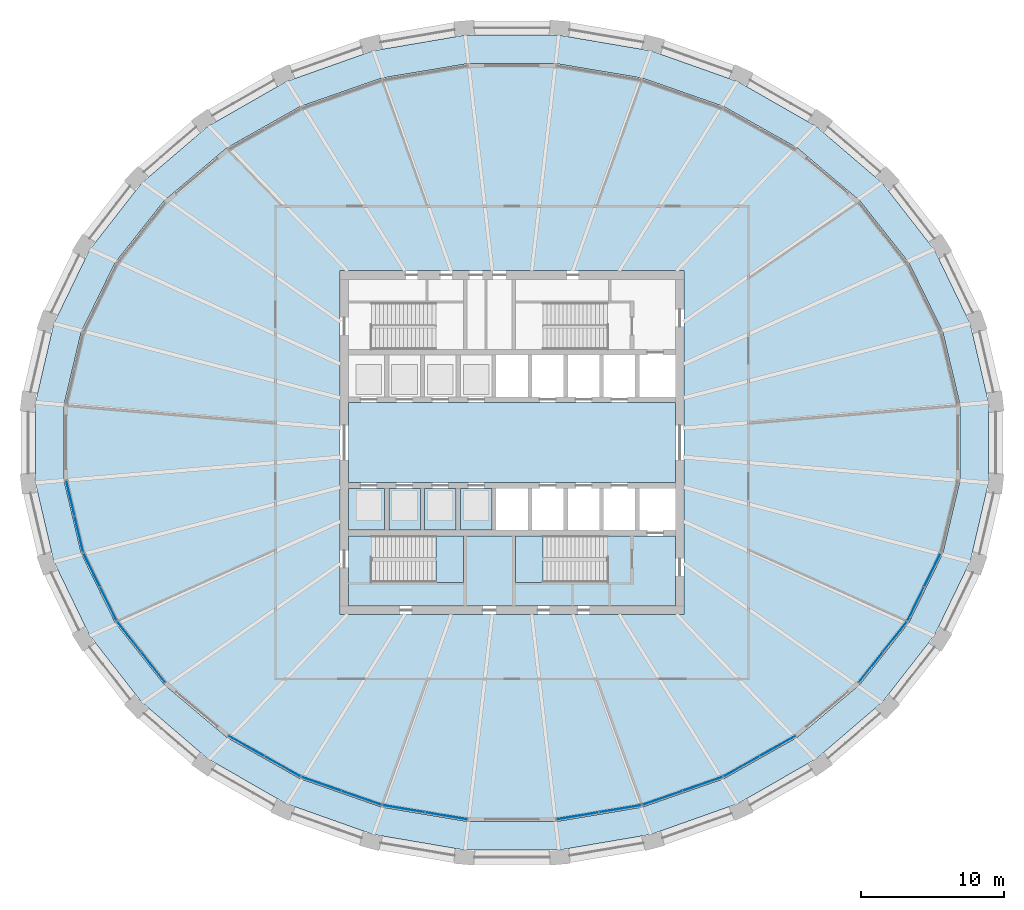
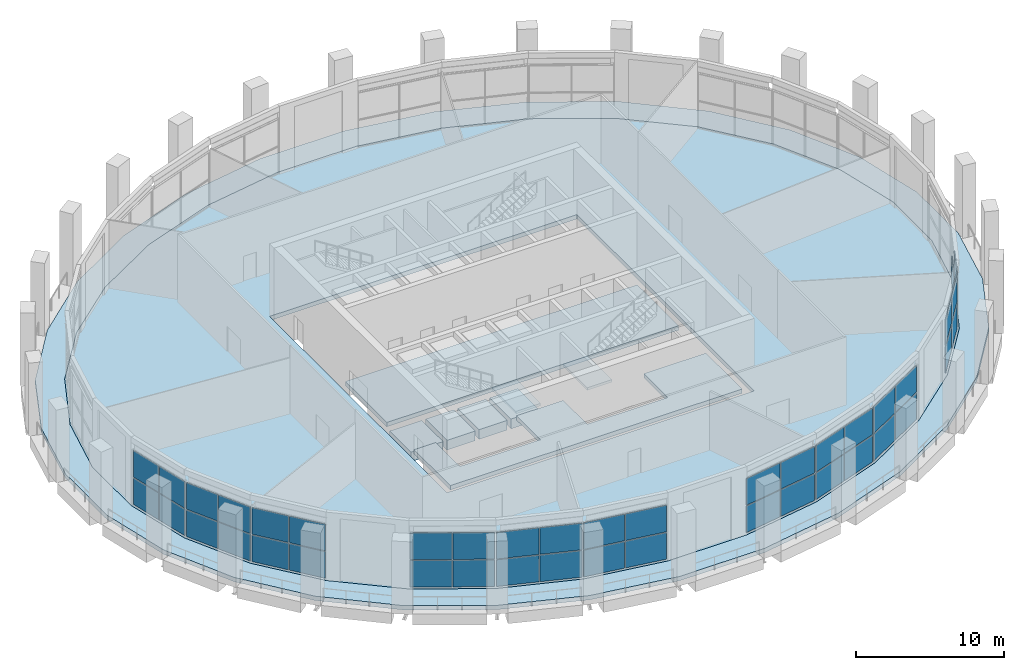
# One storey, part 10 of 19: 43 plates, 10 slabs, 13 elements without a shape of their own.
"""IFC4 building model written with IfcOpenShell, lengths in metres."""

from ifc_helpers import new_model, si_unit, direction, frame, origin, origin_2d, place, context, subcontext, project, spatial, polyline, rectangle, outline, extrude, material, layer, layer_set, type_object, element, aggregate, save


model = new_model("IFC4")

# Units and contexts
model_context = context("Model", 3, precision=1e-05, world=origin(), true_north=direction((0.0, 1.0)))
body_context = subcontext(model_context, "Body", "Model", "MODEL_VIEW")
ifc_project = project(units=[si_unit("LENGTHUNIT", "METRE"), si_unit("AREAUNIT", "SQUARE_METRE"), si_unit("VOLUMEUNIT", "CUBIC_METRE"), si_unit("PLANEANGLEUNIT", "RADIAN"), si_unit("MASSUNIT", "GRAM", prefix="KILO")], contexts=[model_context])

# Site, building, storey
site_placement = place(None, origin())
site = spatial("IfcSite", under=ifc_project, at=site_placement, CompositionType="ELEMENT")
building_placement = place(site_placement, origin())
building = spatial("IfcBuilding", under=site, at=building_placement, Name="Halqa Exchange Tower", CompositionType="ELEMENT")
storey_placement = place(building_placement, frame((0.0, 0.0, 167.5)))
storey = spatial("IfcBuildingStorey", under=building, at=storey_placement, Name="L38", CompositionType="ELEMENT", Elevation=167.5)

# Curtain wall, plates
ifc_material_1 = material(Name="Anodised aluminium and clear glass", Category="aluminium")
curtain_wall_type = type_object("IfcCurtainWallType", Name="Sky lobby glazing", PredefinedType="NOTDEFINED", material=ifc_material_1)
curtain_wall_1_placement = place(storey_placement, origin())
curtain_wall_1 = element("IfcCurtainWall", 1, at=curtain_wall_1_placement, inside=storey, type_object=curtain_wall_type, Name="Sky lobby glazing run G17", PredefinedType="NOTDEFINED")
ifc_material_2 = material(Name="Clear glass", Category="glass")
ifc_layer_1 = layer(ifc_material_2, 0.031982421875)
ifc_layer_set_1 = layer_set([ifc_layer_1], Name="Clear glass")
plate_type = type_object("IfcPlateType", Name="Clear low-emissivity glass panel 32", PredefinedType="CURTAIN_PANEL", material=ifc_layer_set_1)
plate_1_placement = place(storey_placement, frame((-30.817626953125, -3.881103515625, 0.06982421875), z_axis=(0.0, 0.0, 1.0), x_axis=(0.229317766019, -0.973351612825, 0.0)))
plate_1 = element("IfcPlate", 2, at=plate_1_placement, type_object=plate_type, Name="G17 panel 1.1", PredefinedType="CURTAIN_PANEL", context=body_context, shape_type="SweptSolid", body=[
    extrude(rectangle(XDim=2.50732421875, YDim=0.031982421875, at=origin_2d()), origin(), (0.0, 0.0, 1.0), 2.195068359375),
])
plate_2_placement = place(storey_placement, frame((-30.817626953125, -3.881103515625, 2.3349609375), z_axis=(0.0, 0.0, 1.0), x_axis=(0.229317766019, -0.973351612825, 0.0)))
plate_2 = element("IfcPlate", 3, at=plate_2_placement, type_object=plate_type, Name="G17 panel 1.2", PredefinedType="CURTAIN_PANEL", context=body_context, shape_type="SweptSolid", body=[
    extrude(rectangle(XDim=2.50732421875, YDim=0.031982421875, at=origin_2d()), origin(), (0.0, 0.0, 1.0), 2.195068359375),
])
plate_3_placement = place(storey_placement, frame((-30.2265625, -6.389892578125, 0.06982421875), z_axis=(0.0, 0.0, 1.0), x_axis=(0.229317766019, -0.973351612825, 0.0)))
plate_3 = element("IfcPlate", 4, at=plate_3_placement, type_object=plate_type, Name="G17 panel 2.1", PredefinedType="CURTAIN_PANEL", context=body_context, shape_type="SweptSolid", body=[
    extrude(rectangle(XDim=2.50732421875, YDim=0.031982421875, at=origin_2d()), origin(), (0.0, 0.0, 1.0), 2.195068359375),
])
plate_4_placement = place(storey_placement, frame((-30.2265625, -6.389892578125, 2.3349609375), z_axis=(0.0, 0.0, 1.0), x_axis=(0.229317766019, -0.973351612825, 0.0)))
plate_4 = element("IfcPlate", 5, at=plate_4_placement, type_object=plate_type, Name="G17 panel 2.2", PredefinedType="CURTAIN_PANEL", context=body_context, shape_type="SweptSolid", body=[
    extrude(rectangle(XDim=2.50732421875, YDim=0.031982421875, at=origin_2d()), origin(), (0.0, 0.0, 1.0), 2.195068359375),
])
aggregate(curtain_wall_1, [plate_1, plate_2, plate_3, plate_4])

curtain_wall_2_placement = place(storey_placement, origin())
curtain_wall_2 = element("IfcCurtainWall", 6, at=curtain_wall_2_placement, inside=storey, type_object=curtain_wall_type, Name="Sky lobby glazing run G18", PredefinedType="NOTDEFINED")
plate_5_placement = place(storey_placement, frame((-29.328125, -8.890869140625, 0.06982421875), z_axis=(0.0, 0.0, 1.0), x_axis=(0.440443527823, -0.897780317672, 0.0)))
plate_5 = element("IfcPlate", 7, at=plate_5_placement, type_object=plate_type, Name="G18 panel 1.1", PredefinedType="CURTAIN_PANEL", context=body_context, shape_type="SweptSolid", body=[
    extrude(rectangle(XDim=2.561767578125, YDim=0.031982421875, at=origin_2d()), origin(), (0.0, 0.0, 1.0), 2.195068359375),
])
plate_6_placement = place(storey_placement, frame((-29.328125, -8.890869140625, 2.3349609375), z_axis=(0.0, 0.0, 1.0), x_axis=(0.440443527823, -0.897780317672, 0.0)))
plate_6 = element("IfcPlate", 8, at=plate_6_placement, type_object=plate_type, Name="G18 panel 1.2", PredefinedType="CURTAIN_PANEL", context=body_context, shape_type="SweptSolid", body=[
    extrude(rectangle(XDim=2.561767578125, YDim=0.031982421875, at=origin_2d()), origin(), (0.0, 0.0, 1.0), 2.195068359375),
])
plate_7_placement = place(storey_placement, frame((-28.1689453125, -11.253662109375, 0.06982421875), z_axis=(0.0, 0.0, 1.0), x_axis=(0.440443527823, -0.897780317672, 0.0)))
plate_7 = element("IfcPlate", 9, at=plate_7_placement, type_object=plate_type, Name="G18 panel 2.1", PredefinedType="CURTAIN_PANEL", context=body_context, shape_type="SweptSolid", body=[
    extrude(rectangle(XDim=2.561767578125, YDim=0.031982421875, at=origin_2d()), origin(), (0.0, 0.0, 1.0), 2.195068359375),
])
plate_8_placement = place(storey_placement, frame((-28.1689453125, -11.253662109375, 2.3349609375), z_axis=(0.0, 0.0, 1.0), x_axis=(0.440443527823, -0.897780317672, 0.0)))
plate_8 = element("IfcPlate", 10, at=plate_8_placement, type_object=plate_type, Name="G18 panel 2.2", PredefinedType="CURTAIN_PANEL", context=body_context, shape_type="SweptSolid", body=[
    extrude(rectangle(XDim=2.561767578125, YDim=0.031982421875, at=origin_2d()), origin(), (0.0, 0.0, 1.0), 2.195068359375),
])
aggregate(curtain_wall_2, [plate_5, plate_6, plate_7, plate_8])

curtain_wall_3_placement = place(storey_placement, origin())
curtain_wall_3 = element("IfcCurtainWall", 11, at=curtain_wall_3_placement, inside=storey, type_object=curtain_wall_type, Name="Sky lobby glazing run G19", PredefinedType="NOTDEFINED")
plate_9_placement = place(storey_placement, frame((-26.7109375, -13.55712890625, 0.06982421875), z_axis=(0.0, 0.0, 1.0), x_axis=(0.620583563001, -0.784140319926, 0.0)))
plate_9 = element("IfcPlate", 12, at=plate_9_placement, type_object=plate_type, Name="G19 panel 1.1", PredefinedType="CURTAIN_PANEL", context=body_context, shape_type="SweptSolid", body=[
    extrude(rectangle(XDim=2.641357421875, YDim=0.031982421875, at=origin_2d()), origin(), (0.0, 0.0, 1.0), 2.195068359375),
])
plate_10_placement = place(storey_placement, frame((-26.7109375, -13.55712890625, 2.3349609375), z_axis=(0.0, 0.0, 1.0), x_axis=(0.620583563001, -0.784140319926, 0.0)))
plate_10 = element("IfcPlate", 13, at=plate_10_placement, type_object=plate_type, Name="G19 panel 1.2", PredefinedType="CURTAIN_PANEL", context=body_context, shape_type="SweptSolid", body=[
    extrude(rectangle(XDim=2.641357421875, YDim=0.031982421875, at=origin_2d()), origin(), (0.0, 0.0, 1.0), 2.195068359375),
])
plate_11_placement = place(storey_placement, frame((-25.0283203125, -15.68310546875, 0.06982421875), z_axis=(0.0, 0.0, 1.0), x_axis=(0.620583563001, -0.784140319926, 0.0)))
plate_11 = element("IfcPlate", 14, at=plate_11_placement, type_object=plate_type, Name="G19 panel 2.1", PredefinedType="CURTAIN_PANEL", context=body_context, shape_type="SweptSolid", body=[
    extrude(rectangle(XDim=2.641357421875, YDim=0.031982421875, at=origin_2d()), origin(), (0.0, 0.0, 1.0), 2.195068359375),
])
plate_12_placement = place(storey_placement, frame((-25.0283203125, -15.68310546875, 2.3349609375), z_axis=(0.0, 0.0, 1.0), x_axis=(0.620583563001, -0.784140319926, 0.0)))
plate_12 = element("IfcPlate", 15, at=plate_12_placement, type_object=plate_type, Name="G19 panel 2.2", PredefinedType="CURTAIN_PANEL", context=body_context, shape_type="SweptSolid", body=[
    extrude(rectangle(XDim=2.641357421875, YDim=0.031982421875, at=origin_2d()), origin(), (0.0, 0.0, 1.0), 2.195068359375),
])
aggregate(curtain_wall_3, [plate_9, plate_10, plate_11, plate_12])

curtain_wall_4_placement = place(storey_placement, origin())
curtain_wall_4 = element("IfcCurtainWall", 16, at=curtain_wall_4_placement, inside=storey, type_object=curtain_wall_type, Name="Sky lobby glazing run G21", PredefinedType="NOTDEFINED")
plate_13_placement = place(storey_placement, frame((-18.53955078125, -21.162109375, 0.06982421875), z_axis=(0.0, 0.0, 1.0), x_axis=(0.87096009073, -0.491353762941, 0.0)))
plate_13 = element("IfcPlate", 17, at=plate_13_placement, type_object=plate_type, Name="G21 panel 1.1", PredefinedType="CURTAIN_PANEL", context=body_context, shape_type="SweptSolid", body=[
    extrude(rectangle(XDim=2.82080078125, YDim=0.031982421875, at=origin_2d()), origin(), (0.0, 0.0, 1.0), 2.195068359375),
])
plate_14_placement = place(storey_placement, frame((-18.53955078125, -21.162109375, 2.3349609375), z_axis=(0.0, 0.0, 1.0), x_axis=(0.87096009073, -0.491353762941, 0.0)))
plate_14 = element("IfcPlate", 18, at=plate_14_placement, type_object=plate_type, Name="G21 panel 1.2", PredefinedType="CURTAIN_PANEL", context=body_context, shape_type="SweptSolid", body=[
    extrude(rectangle(XDim=2.82080078125, YDim=0.031982421875, at=origin_2d()), origin(), (0.0, 0.0, 1.0), 2.195068359375),
])
plate_15_placement = place(storey_placement, frame((-16.02197265625, -22.58251953125, 0.06982421875), z_axis=(0.0, 0.0, 1.0), x_axis=(0.87096009073, -0.491353762941, 0.0)))
plate_15 = element("IfcPlate", 19, at=plate_15_placement, type_object=plate_type, Name="G21 panel 2.1", PredefinedType="CURTAIN_PANEL", context=body_context, shape_type="SweptSolid", body=[
    extrude(rectangle(XDim=2.82080078125, YDim=0.031982421875, at=origin_2d()), origin(), (0.0, 0.0, 1.0), 2.195068359375),
])
plate_16_placement = place(storey_placement, frame((-16.02197265625, -22.58251953125, 2.3349609375), z_axis=(0.0, 0.0, 1.0), x_axis=(0.87096009073, -0.491353762941, 0.0)))
plate_16 = element("IfcPlate", 20, at=plate_16_placement, type_object=plate_type, Name="G21 panel 2.2", PredefinedType="CURTAIN_PANEL", context=body_context, shape_type="SweptSolid", body=[
    extrude(rectangle(XDim=2.82080078125, YDim=0.031982421875, at=origin_2d()), origin(), (0.0, 0.0, 1.0), 2.195068359375),
])
aggregate(curtain_wall_4, [plate_13, plate_14, plate_15, plate_16])

curtain_wall_5_placement = place(storey_placement, origin())
curtain_wall_5 = element("IfcCurtainWall", 21, at=curtain_wall_5_placement, inside=storey, type_object=curtain_wall_type, Name="Sky lobby glazing run G22", PredefinedType="NOTDEFINED")
plate_17_placement = place(storey_placement, frame((-13.30078125, -23.810546875, 0.06982421875), z_axis=(0.0, 0.0, 1.0), x_axis=(0.943945927978, -0.330100113683, 0.0)))
plate_17 = element("IfcPlate", 22, at=plate_17_placement, type_object=plate_type, Name="G22 panel 1.1", PredefinedType="CURTAIN_PANEL", context=body_context, shape_type="SweptSolid", body=[
    extrude(rectangle(XDim=2.8935546875, YDim=0.031982421875, at=origin_2d()), origin(), (0.0, 0.0, 1.0), 2.195068359375),
])
plate_18_placement = place(storey_placement, frame((-13.30078125, -23.810546875, 2.3349609375), z_axis=(0.0, 0.0, 1.0), x_axis=(0.943945927978, -0.330100113683, 0.0)))
plate_18 = element("IfcPlate", 23, at=plate_18_placement, type_object=plate_type, Name="G22 panel 1.2", PredefinedType="CURTAIN_PANEL", context=body_context, shape_type="SweptSolid", body=[
    extrude(rectangle(XDim=2.8935546875, YDim=0.031982421875, at=origin_2d()), origin(), (0.0, 0.0, 1.0), 2.195068359375),
])
plate_19_placement = place(storey_placement, frame((-10.503173828125, -24.788818359375, 0.06982421875), z_axis=(0.0, 0.0, 1.0), x_axis=(0.943945927978, -0.330100113683, 0.0)))
plate_19 = element("IfcPlate", 24, at=plate_19_placement, type_object=plate_type, Name="G22 panel 2.1", PredefinedType="CURTAIN_PANEL", context=body_context, shape_type="SweptSolid", body=[
    extrude(rectangle(XDim=2.8935546875, YDim=0.031982421875, at=origin_2d()), origin(), (0.0, 0.0, 1.0), 2.195068359375),
])
plate_20_placement = place(storey_placement, frame((-10.503173828125, -24.788818359375, 2.3349609375), z_axis=(0.0, 0.0, 1.0), x_axis=(0.943945927978, -0.330100113683, 0.0)))
plate_20 = element("IfcPlate", 25, at=plate_20_placement, type_object=plate_type, Name="G22 panel 2.2", PredefinedType="CURTAIN_PANEL", context=body_context, shape_type="SweptSolid", body=[
    extrude(rectangle(XDim=2.8935546875, YDim=0.031982421875, at=origin_2d()), origin(), (0.0, 0.0, 1.0), 2.195068359375),
])
aggregate(curtain_wall_5, [plate_17, plate_18, plate_19, plate_20])

curtain_wall_6_placement = place(storey_placement, origin())
curtain_wall_6 = element("IfcCurtainWall", 26, at=curtain_wall_6_placement, inside=storey, type_object=curtain_wall_type, Name="Sky lobby glazing run G23", PredefinedType="NOTDEFINED")
plate_21_placement = place(storey_placement, frame((-7.552001953125, -25.544677734375, 0.06982421875), z_axis=(0.0, 0.0, 1.0), x_axis=(0.986188660766, -0.165625859626, 0.0)))
plate_21 = element("IfcPlate", 27, at=plate_21_placement, type_object=plate_type, Name="G23 panel 1.1", PredefinedType="CURTAIN_PANEL", context=body_context, shape_type="SweptSolid", body=[
    extrude(rectangle(XDim=2.94140625, YDim=0.031982421875, at=origin_2d()), origin(), (0.0, 0.0, 1.0), 2.195068359375),
])
plate_22_placement = place(storey_placement, frame((-7.552001953125, -25.544677734375, 2.3349609375), z_axis=(0.0, 0.0, 1.0), x_axis=(0.986188660766, -0.165625859626, 0.0)))
plate_22 = element("IfcPlate", 28, at=plate_22_placement, type_object=plate_type, Name="G23 panel 1.2", PredefinedType="CURTAIN_PANEL", context=body_context, shape_type="SweptSolid", body=[
    extrude(rectangle(XDim=2.94140625, YDim=0.031982421875, at=origin_2d()), origin(), (0.0, 0.0, 1.0), 2.195068359375),
])
plate_23_placement = place(storey_placement, frame((-4.582275390625, -26.04345703125, 0.06982421875), z_axis=(0.0, 0.0, 1.0), x_axis=(0.986188660766, -0.165625859626, 0.0)))
plate_23 = element("IfcPlate", 29, at=plate_23_placement, type_object=plate_type, Name="G23 panel 2.1", PredefinedType="CURTAIN_PANEL", context=body_context, shape_type="SweptSolid", body=[
    extrude(rectangle(XDim=2.94140625, YDim=0.031982421875, at=origin_2d()), origin(), (0.0, 0.0, 1.0), 2.195068359375),
])
plate_24_placement = place(storey_placement, frame((-4.582275390625, -26.04345703125, 2.3349609375), z_axis=(0.0, 0.0, 1.0), x_axis=(0.986188660766, -0.165625859626, 0.0)))
plate_24 = element("IfcPlate", 30, at=plate_24_placement, type_object=plate_type, Name="G23 panel 2.2", PredefinedType="CURTAIN_PANEL", context=body_context, shape_type="SweptSolid", body=[
    extrude(rectangle(XDim=2.94140625, YDim=0.031982421875, at=origin_2d()), origin(), (0.0, 0.0, 1.0), 2.195068359375),
])
aggregate(curtain_wall_6, [plate_21, plate_22, plate_23, plate_24])

curtain_wall_7_placement = place(storey_placement, origin())
curtain_wall_7 = element("IfcCurtainWall", 31, at=curtain_wall_7_placement, inside=storey, type_object=curtain_wall_type, Name="Sky lobby glazing run G25", PredefinedType="NOTDEFINED")
plate_25_placement = place(storey_placement, frame((4.582275390625, -26.04345703125, 0.06982421875), z_axis=(0.0, 0.0, 1.0), x_axis=(0.986188660766, 0.165625859626, 0.0)))
plate_25 = element("IfcPlate", 32, at=plate_25_placement, type_object=plate_type, Name="G25 panel 1.1", PredefinedType="CURTAIN_PANEL", context=body_context, shape_type="SweptSolid", body=[
    extrude(rectangle(XDim=2.94140625, YDim=0.031982421875, at=origin_2d()), origin(), (0.0, 0.0, 1.0), 2.195068359375),
])
plate_26_placement = place(storey_placement, frame((4.582275390625, -26.04345703125, 2.3349609375), z_axis=(0.0, 0.0, 1.0), x_axis=(0.986188660766, 0.165625859626, 0.0)))
plate_26 = element("IfcPlate", 33, at=plate_26_placement, type_object=plate_type, Name="G25 panel 1.2", PredefinedType="CURTAIN_PANEL", context=body_context, shape_type="SweptSolid", body=[
    extrude(rectangle(XDim=2.94140625, YDim=0.031982421875, at=origin_2d()), origin(), (0.0, 0.0, 1.0), 2.195068359375),
])
plate_27_placement = place(storey_placement, frame((7.552001953125, -25.544677734375, 0.06982421875), z_axis=(0.0, 0.0, 1.0), x_axis=(0.986188660766, 0.165625859626, 0.0)))
plate_27 = element("IfcPlate", 34, at=plate_27_placement, type_object=plate_type, Name="G25 panel 2.1", PredefinedType="CURTAIN_PANEL", context=body_context, shape_type="SweptSolid", body=[
    extrude(rectangle(XDim=2.94140625, YDim=0.031982421875, at=origin_2d()), origin(), (0.0, 0.0, 1.0), 2.195068359375),
])
plate_28_placement = place(storey_placement, frame((7.552001953125, -25.544677734375, 2.3349609375), z_axis=(0.0, 0.0, 1.0), x_axis=(0.986188660766, 0.165625859626, 0.0)))
plate_28 = element("IfcPlate", 35, at=plate_28_placement, type_object=plate_type, Name="G25 panel 2.2", PredefinedType="CURTAIN_PANEL", context=body_context, shape_type="SweptSolid", body=[
    extrude(rectangle(XDim=2.94140625, YDim=0.031982421875, at=origin_2d()), origin(), (0.0, 0.0, 1.0), 2.195068359375),
])
aggregate(curtain_wall_7, [plate_25, plate_26, plate_27, plate_28])

curtain_wall_8_placement = place(storey_placement, origin())
curtain_wall_8 = element("IfcCurtainWall", 36, at=curtain_wall_8_placement, inside=storey, type_object=curtain_wall_type, Name="Sky lobby glazing run G26", PredefinedType="NOTDEFINED")
plate_29_placement = place(storey_placement, frame((10.503173828125, -24.788818359375, 0.06982421875), z_axis=(0.0, 0.0, 1.0), x_axis=(0.943945927978, 0.330100113683, 0.0)))
plate_29 = element("IfcPlate", 37, at=plate_29_placement, type_object=plate_type, Name="G26 panel 1.1", PredefinedType="CURTAIN_PANEL", context=body_context, shape_type="SweptSolid", body=[
    extrude(rectangle(XDim=2.8935546875, YDim=0.031982421875, at=origin_2d()), origin(), (0.0, 0.0, 1.0), 2.195068359375),
])
plate_30_placement = place(storey_placement, frame((10.503173828125, -24.788818359375, 2.3349609375), z_axis=(0.0, 0.0, 1.0), x_axis=(0.943945927978, 0.330100113683, 0.0)))
plate_30 = element("IfcPlate", 38, at=plate_30_placement, type_object=plate_type, Name="G26 panel 1.2", PredefinedType="CURTAIN_PANEL", context=body_context, shape_type="SweptSolid", body=[
    extrude(rectangle(XDim=2.8935546875, YDim=0.031982421875, at=origin_2d()), origin(), (0.0, 0.0, 1.0), 2.195068359375),
])
plate_31_placement = place(storey_placement, frame((13.30078125, -23.810546875, 0.06982421875), z_axis=(0.0, 0.0, 1.0), x_axis=(0.943945927978, 0.330100113683, 0.0)))
plate_31 = element("IfcPlate", 39, at=plate_31_placement, type_object=plate_type, Name="G26 panel 2.1", PredefinedType="CURTAIN_PANEL", context=body_context, shape_type="SweptSolid", body=[
    extrude(rectangle(XDim=2.8935546875, YDim=0.031982421875, at=origin_2d()), origin(), (0.0, 0.0, 1.0), 2.195068359375),
])
plate_32_placement = place(storey_placement, frame((13.30078125, -23.810546875, 2.3349609375), z_axis=(0.0, 0.0, 1.0), x_axis=(0.943945927978, 0.330100113683, 0.0)))
plate_32 = element("IfcPlate", 40, at=plate_32_placement, type_object=plate_type, Name="G26 panel 2.2", PredefinedType="CURTAIN_PANEL", context=body_context, shape_type="SweptSolid", body=[
    extrude(rectangle(XDim=2.8935546875, YDim=0.031982421875, at=origin_2d()), origin(), (0.0, 0.0, 1.0), 2.195068359375),
])
aggregate(curtain_wall_8, [plate_29, plate_30, plate_31, plate_32])

curtain_wall_9_placement = place(storey_placement, origin())
curtain_wall_9 = element("IfcCurtainWall", 41, at=curtain_wall_9_placement, inside=storey, type_object=curtain_wall_type, Name="Sky lobby glazing run G27", PredefinedType="NOTDEFINED")
plate_33_placement = place(storey_placement, frame((16.02197265625, -22.58251953125, 0.06982421875), z_axis=(0.0, 0.0, 1.0), x_axis=(0.87096009073, 0.491353762941, 0.0)))
plate_33 = element("IfcPlate", 42, at=plate_33_placement, type_object=plate_type, Name="G27 panel 1.1", PredefinedType="CURTAIN_PANEL", context=body_context, shape_type="SweptSolid", body=[
    extrude(rectangle(XDim=2.82080078125, YDim=0.031982421875, at=origin_2d()), origin(), (0.0, 0.0, 1.0), 2.195068359375),
])
plate_34_placement = place(storey_placement, frame((16.02197265625, -22.58251953125, 2.3349609375), z_axis=(0.0, 0.0, 1.0), x_axis=(0.87096009073, 0.491353762941, 0.0)))
plate_34 = element("IfcPlate", 43, at=plate_34_placement, type_object=plate_type, Name="G27 panel 1.2", PredefinedType="CURTAIN_PANEL", context=body_context, shape_type="SweptSolid", body=[
    extrude(rectangle(XDim=2.82080078125, YDim=0.031982421875, at=origin_2d()), origin(), (0.0, 0.0, 1.0), 2.195068359375),
])
plate_35_placement = place(storey_placement, frame((18.53955078125, -21.162109375, 0.06982421875), z_axis=(0.0, 0.0, 1.0), x_axis=(0.87096009073, 0.491353762941, 0.0)))
plate_35 = element("IfcPlate", 44, at=plate_35_placement, type_object=plate_type, Name="G27 panel 2.1", PredefinedType="CURTAIN_PANEL", context=body_context, shape_type="SweptSolid", body=[
    extrude(rectangle(XDim=2.82080078125, YDim=0.031982421875, at=origin_2d()), origin(), (0.0, 0.0, 1.0), 2.195068359375),
])
plate_36_placement = place(storey_placement, frame((18.53955078125, -21.162109375, 2.3349609375), z_axis=(0.0, 0.0, 1.0), x_axis=(0.87096009073, 0.491353762941, 0.0)))
plate_36 = element("IfcPlate", 45, at=plate_36_placement, type_object=plate_type, Name="G27 panel 2.2", PredefinedType="CURTAIN_PANEL", context=body_context, shape_type="SweptSolid", body=[
    extrude(rectangle(XDim=2.82080078125, YDim=0.031982421875, at=origin_2d()), origin(), (0.0, 0.0, 1.0), 2.195068359375),
])
aggregate(curtain_wall_9, [plate_33, plate_34, plate_35, plate_36])

curtain_wall_10_placement = place(storey_placement, origin())
curtain_wall_10 = element("IfcCurtainWall", 46, at=curtain_wall_10_placement, inside=storey, type_object=curtain_wall_type, Name="Sky lobby glazing run G29", PredefinedType="NOTDEFINED")
plate_37_placement = place(storey_placement, frame((25.0283203125, -15.68310546875, 0.06982421875), z_axis=(0.0, 0.0, 1.0), x_axis=(0.620583563001, 0.784140319926, 0.0)))
plate_37 = element("IfcPlate", 47, at=plate_37_placement, type_object=plate_type, Name="G29 panel 1.1", PredefinedType="CURTAIN_PANEL", context=body_context, shape_type="SweptSolid", body=[
    extrude(rectangle(XDim=2.641357421875, YDim=0.031982421875, at=origin_2d()), origin(), (0.0, 0.0, 1.0), 2.195068359375),
])
plate_38_placement = place(storey_placement, frame((25.0283203125, -15.68310546875, 2.3349609375), z_axis=(0.0, 0.0, 1.0), x_axis=(0.620583563001, 0.784140319926, 0.0)))
plate_38 = element("IfcPlate", 48, at=plate_38_placement, type_object=plate_type, Name="G29 panel 1.2", PredefinedType="CURTAIN_PANEL", context=body_context, shape_type="SweptSolid", body=[
    extrude(rectangle(XDim=2.641357421875, YDim=0.031982421875, at=origin_2d()), origin(), (0.0, 0.0, 1.0), 2.195068359375),
])
plate_39_placement = place(storey_placement, frame((26.7109375, -13.55712890625, 0.06982421875), z_axis=(0.0, 0.0, 1.0), x_axis=(0.620583563001, 0.784140319926, 0.0)))
plate_39 = element("IfcPlate", 49, at=plate_39_placement, type_object=plate_type, Name="G29 panel 2.1", PredefinedType="CURTAIN_PANEL", context=body_context, shape_type="SweptSolid", body=[
    extrude(rectangle(XDim=2.641357421875, YDim=0.031982421875, at=origin_2d()), origin(), (0.0, 0.0, 1.0), 2.195068359375),
])
plate_40_placement = place(storey_placement, frame((26.7109375, -13.55712890625, 2.3349609375), z_axis=(0.0, 0.0, 1.0), x_axis=(0.620583563001, 0.784140319926, 0.0)))
plate_40 = element("IfcPlate", 50, at=plate_40_placement, type_object=plate_type, Name="G29 panel 2.2", PredefinedType="CURTAIN_PANEL", context=body_context, shape_type="SweptSolid", body=[
    extrude(rectangle(XDim=2.641357421875, YDim=0.031982421875, at=origin_2d()), origin(), (0.0, 0.0, 1.0), 2.195068359375),
])
aggregate(curtain_wall_10, [plate_37, plate_38, plate_39, plate_40])

curtain_wall_11_placement = place(storey_placement, origin())
curtain_wall_11 = element("IfcCurtainWall", 51, at=curtain_wall_11_placement, inside=storey, type_object=curtain_wall_type, Name="Sky lobby glazing run G30", PredefinedType="NOTDEFINED")
plate_41_placement = place(storey_placement, frame((28.1689453125, -11.253662109375, 0.06982421875), z_axis=(0.0, 0.0, 1.0), x_axis=(0.440443527823, 0.897780317672, 0.0)))
plate_41 = element("IfcPlate", 52, at=plate_41_placement, type_object=plate_type, Name="G30 panel 1.1", PredefinedType="CURTAIN_PANEL", context=body_context, shape_type="SweptSolid", body=[
    extrude(rectangle(XDim=2.561767578125, YDim=0.031982421875, at=origin_2d()), origin(), (0.0, 0.0, 1.0), 2.195068359375),
])
plate_42_placement = place(storey_placement, frame((28.1689453125, -11.253662109375, 2.3349609375), z_axis=(0.0, 0.0, 1.0), x_axis=(0.440443527823, 0.897780317672, 0.0)))
plate_42 = element("IfcPlate", 53, at=plate_42_placement, type_object=plate_type, Name="G30 panel 1.2", PredefinedType="CURTAIN_PANEL", context=body_context, shape_type="SweptSolid", body=[
    extrude(rectangle(XDim=2.561767578125, YDim=0.031982421875, at=origin_2d()), origin(), (0.0, 0.0, 1.0), 2.195068359375),
])
plate_43_placement = place(storey_placement, frame((29.328125, -8.890869140625, 0.06982421875), z_axis=(0.0, 0.0, 1.0), x_axis=(0.440443527823, 0.897780317672, 0.0)))
plate_43 = element("IfcPlate", 54, at=plate_43_placement, type_object=plate_type, Name="G30 panel 2.1", PredefinedType="CURTAIN_PANEL", context=body_context, shape_type="SweptSolid", body=[
    extrude(rectangle(XDim=2.561767578125, YDim=0.031982421875, at=origin_2d()), origin(), (0.0, 0.0, 1.0), 2.195068359375),
])
aggregate(curtain_wall_11, [plate_41, plate_42, plate_43])

# Slabs
ifc_material_3 = material(Name="Concrete C60/75", Category="concrete")
ifc_layer_2 = layer(ifc_material_3, 0.35009765625)
ifc_layer_set_2 = layer_set([ifc_layer_2], Name="Concrete C60/75")
slab_type_1 = type_object("IfcSlabType", Name="Core floor slab 350", PredefinedType="FLOOR", material=ifc_layer_set_2)
slab_1_placement = place(storey_placement, frame((0.0, 0.0, -0.35009765625)))
element("IfcSlab", 55, at=slab_1_placement, inside=storey, type_object=slab_type_1, Name="Core floor slab", PredefinedType="FLOOR", context=body_context, shape_type="SweptSolid", body=[
    extrude(outline(polyline([(-11.39990234375, 2.800048828125), (11.39990234375, 2.800048828125), (11.39990234375, -2.800048828125), (-11.39990234375, -2.800048828125), (-11.39990234375, 2.800048828125)])), origin(), (0.0, 0.0, 1.0), 0.35009765625),
])
slab_2_placement = place(storey_placement, frame((0.0, 0.0, -0.35009765625)))
element("IfcSlab", 56, at=slab_2_placement, inside=storey, type_object=slab_type_1, Name="Core floor slab", PredefinedType="FLOOR", context=body_context, shape_type="SweptSolid", body=[
    extrude(outline(polyline([(-9.699951171875, -9.75), (-3.39990234375, -9.75), (-3.39990234375, -6.5), (0.25, -6.5), (0.25, -9.75), (6.550048828125, -9.75), (6.550048828125, -6.5), (11.39990234375, -6.5), (11.39990234375, -11.39990234375), (-11.39990234375, -11.39990234375), (-11.39990234375, -6.5), (-9.699951171875, -6.5), (-9.699951171875, -9.75)])), origin(), (0.0, 0.0, 1.0), 0.35009765625),
])
ifc_layer_3 = layer(ifc_material_3, 0.800048828125)
ifc_layer_set_3 = layer_set([ifc_layer_3], Name="Concrete C60/75")
slab_type_2 = type_object("IfcSlabType", Name="Lift pit slab 800", PredefinedType="BASESLAB", material=ifc_layer_set_3)
slab_3_placement = place(storey_placement, frame((0.0, 0.0, -1.25)))
element("IfcSlab", 57, at=slab_3_placement, inside=storey, type_object=slab_type_2, Name="Lift pit slab HR3", PredefinedType="BASESLAB", context=body_context, shape_type="SweptSolid", body=[
    extrude(outline(polyline([(-11.39990234375, -6.10009765625), (-8.89990234375, -6.10009765625), (-8.89990234375, -3.199951171875), (-11.39990234375, -3.199951171875), (-11.39990234375, -6.10009765625)])), origin(), (0.0, 0.0, 1.0), 0.800048828125),
])
slab_4_placement = place(storey_placement, frame((0.0, 0.0, -1.25)))
element("IfcSlab", 58, at=slab_4_placement, inside=storey, type_object=slab_type_2, Name="Lift pit slab HR4", PredefinedType="BASESLAB", context=body_context, shape_type="SweptSolid", body=[
    extrude(outline(polyline([(-8.60009765625, -6.10009765625), (-6.39990234375, -6.10009765625), (-6.39990234375, -3.199951171875), (-8.60009765625, -3.199951171875), (-8.60009765625, -6.10009765625)])), origin(), (0.0, 0.0, 1.0), 0.800048828125),
])
slab_5_placement = place(storey_placement, frame((0.0, 0.0, -1.25)))
element("IfcSlab", 59, at=slab_5_placement, inside=storey, type_object=slab_type_2, Name="Lift pit slab MR3", PredefinedType="BASESLAB", context=body_context, shape_type="SweptSolid", body=[
    extrude(outline(polyline([(-6.10009765625, -6.10009765625), (-3.89990234375, -6.10009765625), (-3.89990234375, -3.199951171875), (-6.10009765625, -3.199951171875), (-6.10009765625, -6.10009765625)])), origin(), (0.0, 0.0, 1.0), 0.800048828125),
])
slab_6_placement = place(storey_placement, frame((0.0, 0.0, -1.25)))
element("IfcSlab", 60, at=slab_6_placement, inside=storey, type_object=slab_type_2, Name="Lift pit slab MR4", PredefinedType="BASESLAB", context=body_context, shape_type="SweptSolid", body=[
    extrude(outline(polyline([(-3.60009765625, -6.10009765625), (-1.39990234375, -6.10009765625), (-1.39990234375, -3.199951171875), (-3.60009765625, -3.199951171875), (-3.60009765625, -6.10009765625)])), origin(), (0.0, 0.0, 1.0), 0.800048828125),
])
ifc_material_4 = material(Name="Concrete C40/50", Category="concrete")
ifc_layer_4 = layer(ifc_material_4, 0.35009765625)
ifc_layer_set_4 = layer_set([ifc_layer_4], Name="Concrete C40/50")
slab_type_3 = type_object("IfcSlabType", Name="RC floor slab 350", PredefinedType="FLOOR", material=ifc_layer_set_4)
slab_7_placement = place(storey_placement, frame((0.0, 0.0, -0.35009765625)))
element("IfcSlab", 61, at=slab_7_placement, inside=storey, type_object=slab_type_3, Name="Floor slab", PredefinedType="FLOOR", context=body_context, shape_type="SweptSolid", body=[
    extrude(outline(polyline([(31.271240234375, 2.6103515625), (30.065185546875, 7.72900390625), (27.70166015625, 12.547119140625), (24.2734375, 16.878662109375), (19.9150390625, 20.558349609375), (14.794677734375, 23.447021484375), (9.10888671875, 25.435302734375), (3.075439453125, 26.44873046875), (-3.075439453125, 26.44873046875), (-9.10888671875, 25.435302734375), (-14.794677734375, 23.447021484375), (-19.9150390625, 20.558349609375), (-24.2734375, 16.878662109375), (-27.70166015625, 12.547119140625), (-30.065185546875, 7.72900390625), (-31.271240234375, 2.6103515625), (-31.271240234375, -2.6103515625), (-30.065185546875, -7.72900390625), (-27.70166015625, -12.547119140625), (-24.2734375, -16.878662109375), (-19.9150390625, -20.558349609375), (-14.794677734375, -23.447021484375), (-9.10888671875, -25.435302734375), (-3.075439453125, -26.44873046875), (3.075439453125, -26.44873046875), (9.10888671875, -25.435302734375), (14.794677734375, -23.447021484375), (19.9150390625, -20.558349609375), (24.2734375, -16.878662109375), (27.70166015625, -12.547119140625), (30.065185546875, -7.72900390625), (31.271240234375, -2.6103515625), (31.271240234375, 2.6103515625)]), holes=[polyline([(-12.0, -12.0), (12.0, -12.0), (12.0, 12.0), (-12.0, 12.0), (-12.0, -12.0)])]), origin(), (0.0, 0.0, 1.0), 0.35009765625),
])
ifc_layer_5 = layer(ifc_material_4, 0.35009765625)
ifc_layer_set_5 = layer_set([ifc_layer_5], Name="Concrete C40/50")
slab_type_4 = type_object("IfcSlabType", Name="RC loggia slab 350", PredefinedType="FLOOR", material=ifc_layer_set_5)
slab_8_placement = place(storey_placement, frame((0.0, 0.0, -0.35009765625)))
element("IfcSlab", 62, at=slab_8_placement, inside=storey, type_object=slab_type_4, Name="Loggia slab", PredefinedType="FLOOR", context=body_context, shape_type="SweptSolid", body=[
    extrude(outline(polyline([(33.2578125, 2.79248046875), (33.2578125, -2.79248046875), (31.986083984375, -8.272705078125), (29.48876953125, -13.4404296875), (25.85791015625, -18.09814453125), (21.229736328125, -22.06494140625), (15.78076171875, -25.185791015625), (9.72021484375, -27.337646484375), (3.282470703125, -28.435302734375), (-3.282470703125, -28.435302734375), (-9.72021484375, -27.337646484375), (-15.78076171875, -25.185791015625), (-21.229736328125, -22.06494140625), (-25.85791015625, -18.09814453125), (-29.48876953125, -13.4404296875), (-31.986083984375, -8.272705078125), (-33.2578125, -2.79248046875), (-33.2578125, 2.79248046875), (-31.986083984375, 8.272705078125), (-29.48876953125, 13.4404296875), (-25.85791015625, 18.09814453125), (-21.229736328125, 22.06494140625), (-15.78076171875, 25.185791015625), (-9.72021484375, 27.337646484375), (-3.282470703125, 28.435302734375), (3.282470703125, 28.435302734375), (9.72021484375, 27.337646484375), (15.78076171875, 25.185791015625), (21.229736328125, 22.06494140625), (25.85791015625, 18.09814453125), (29.48876953125, 13.4404296875), (31.986083984375, 8.272705078125), (33.2578125, 2.79248046875)]), holes=[polyline([(31.271240234375, 2.6103515625), (30.065185546875, 7.72900390625), (27.70166015625, 12.547119140625), (24.2734375, 16.878662109375), (19.9150390625, 20.558349609375), (14.794677734375, 23.447021484375), (9.10888671875, 25.435302734375), (3.075439453125, 26.44873046875), (-3.075439453125, 26.44873046875), (-9.10888671875, 25.435302734375), (-14.794677734375, 23.447021484375), (-19.9150390625, 20.558349609375), (-24.2734375, 16.878662109375), (-27.70166015625, 12.547119140625), (-30.065185546875, 7.72900390625), (-31.271240234375, 2.6103515625), (-31.271240234375, -2.6103515625), (-30.065185546875, -7.72900390625), (-27.70166015625, -12.547119140625), (-24.2734375, -16.878662109375), (-19.9150390625, -20.558349609375), (-14.794677734375, -23.447021484375), (-9.10888671875, -25.435302734375), (-3.075439453125, -26.44873046875), (3.075439453125, -26.44873046875), (9.10888671875, -25.435302734375), (14.794677734375, -23.447021484375), (19.9150390625, -20.558349609375), (24.2734375, -16.878662109375), (27.70166015625, -12.547119140625), (30.065185546875, -7.72900390625), (31.271240234375, -2.6103515625), (31.271240234375, 2.6103515625)])]), origin(), (0.0, 0.0, 1.0), 0.35009765625),
])

# Stair, slab
ifc_material_5 = material(Name="Concrete C30/37", Category="concrete")
stair_type = type_object("IfcStairType", Name="Exit stair 1500 wide", PredefinedType="HALF_TURN_STAIR", material=ifc_material_5)
stair_1_placement = place(storey_placement, origin())
stair_1 = element("IfcStair", 63, at=stair_1_placement, inside=storey, type_object=stair_type, Name="Exit stair ST3", PredefinedType="HALF_TURN_STAIR")
ifc_layer_6 = layer(ifc_material_5, 0.199951171875)
ifc_layer_set_6 = layer_set([ifc_layer_6], Name="Concrete C30/37")
slab_type_5 = type_object("IfcSlabType", Name="Stair landing 200 slab", PredefinedType="LANDING", material=ifc_layer_set_6)
slab_9_placement = place(storey_placement, frame((0.0, 0.0, 2.800048828125)))
slab_9 = element("IfcSlab", 64, at=slab_9_placement, type_object=slab_type_5, Name="ST3 landing 1", PredefinedType="LANDING", context=body_context, shape_type="SweptSolid", body=[
    extrude(outline(polyline([(-5.320068359375, -9.75), (-3.39990234375, -9.75), (-3.39990234375, -6.5), (-5.320068359375, -6.5), (-5.320068359375, -9.75)])), origin(), (0.0, 0.0, 1.0), 0.199951171875),
])
aggregate(stair_1, [slab_9])

stair_2_placement = place(storey_placement, origin())
stair_2 = element("IfcStair", 65, at=stair_2_placement, inside=storey, type_object=stair_type, Name="Exit stair ST4", PredefinedType="HALF_TURN_STAIR")
slab_10_placement = place(storey_placement, frame((0.0, 0.0, 2.800048828125)))
slab_10 = element("IfcSlab", 66, at=slab_10_placement, type_object=slab_type_5, Name="ST4 landing 1", PredefinedType="LANDING", context=body_context, shape_type="SweptSolid", body=[
    extrude(outline(polyline([(0.25, -9.75), (2.169921875, -9.75), (2.169921875, -6.5), (0.25, -6.5), (0.25, -9.75)])), origin(), (0.0, 0.0, 1.0), 0.199951171875),
])
aggregate(stair_2, [slab_10])

save(model, "model.ifc")
